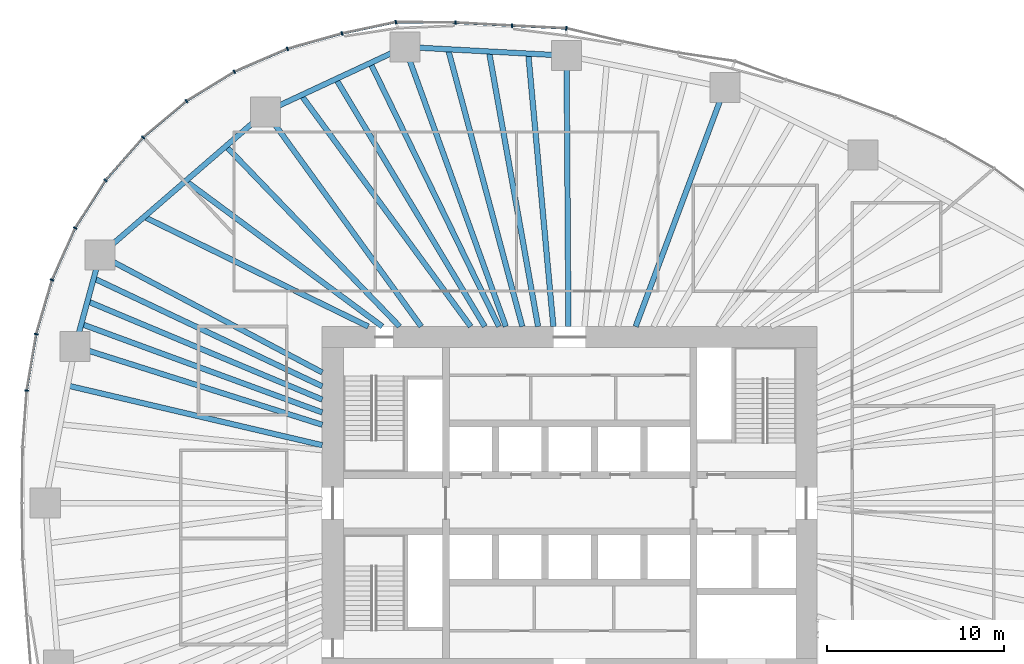
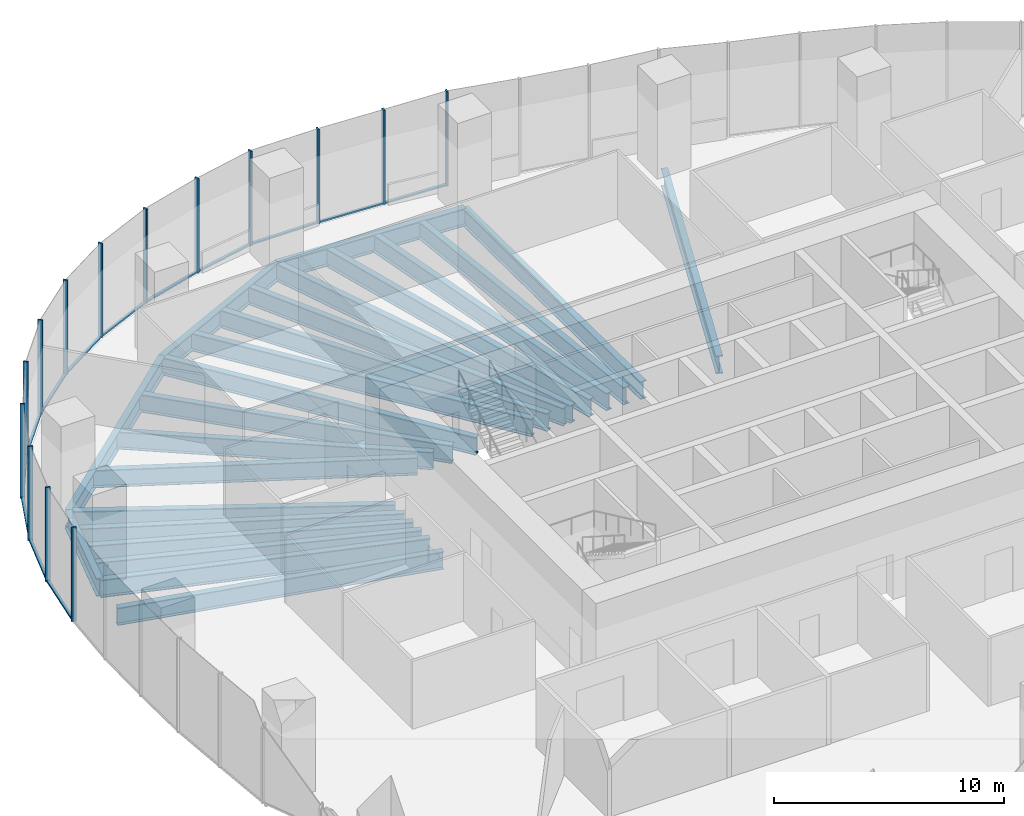
# One storey, part 5 of 20: 27 members, 23 beams, 5 elements without a shape of their own.
"""IFC4 building model written with IfcOpenShell, lengths in metres."""

from ifc_helpers import new_model, si_unit, direction, frame, origin, origin_2d, place, context, subcontext, project, spatial, rectangle, i_section, extrude, material, material_profile, profile_set, type_object, element, aggregate, save


model = new_model("IFC4")

# Units and contexts
model_context = context("Model", 3, precision=1e-05, world=origin(), true_north=direction((0.0, 1.0)))
body_context = subcontext(model_context, "Body", "Model", "MODEL_VIEW")
ifc_project = project(units=[si_unit("LENGTHUNIT", "METRE"), si_unit("AREAUNIT", "SQUARE_METRE"), si_unit("VOLUMEUNIT", "CUBIC_METRE"), si_unit("PLANEANGLEUNIT", "RADIAN"), si_unit("MASSUNIT", "GRAM", prefix="KILO")], contexts=[model_context])

# Site, building, storey
site_placement = place(None, origin())
site = spatial("IfcSite", under=ifc_project, at=site_placement, CompositionType="ELEMENT")
building_placement = place(site_placement, origin())
building = spatial("IfcBuilding", under=site, at=building_placement, Name="Ghaith Harvest Tower", CompositionType="ELEMENT")
storey_placement = place(building_placement, frame((0.0, 0.0, 60.0)))
storey = spatial("IfcBuildingStorey", under=building, at=storey_placement, Name="L12", CompositionType="ELEMENT", Elevation=60.0)

# Curtain wall, members
ifc_material_1 = material(Name="Black anodised aluminium and fritted glass", Category="aluminium")
curtain_wall_type = type_object("IfcCurtainWallType", Name="CW-F CURTAIN WALL", PredefinedType="NOTDEFINED", material=ifc_material_1)
curtain_wall_1_placement = place(storey_placement, origin())
curtain_wall_1 = element("IfcCurtainWall", 1, at=curtain_wall_1_placement, inside=storey, type_object=curtain_wall_type, Name="Curtain wall CW-F bay 06 L12", PredefinedType="NOTDEFINED")
ifc_material_2 = material(Name="Aluminium, black anodised", Category="aluminium")
ifc_material_profile_1 = material_profile(ifc_material_2, rectangle(XDim=0.080078125, YDim=0.219970703125, at=origin_2d()), Name="CW-F MULLION 80x220")
ifc_profile_set_1 = profile_set([ifc_material_profile_1], Name="Aluminium, black anodised")
member_type_1 = type_object("IfcMemberType", Name="CW-F MULLION 80x220", PredefinedType="MULLION", material=ifc_profile_set_1)
member_1_placement = place(storey_placement, frame((-0.183837890625, 26.877197265625, 0.0), z_axis=(0.0, 0.0, 1.0), x_axis=(-0.98971187143, 0.143074845976, 0.0)))
member_1 = element("IfcMember", 2, at=member_1_placement, type_object=member_type_1, Name="CW-F mullion 1 bay 06 L12", PredefinedType="MULLION", context=body_context, shape_type="SweptSolid", body=[
    extrude(rectangle(XDim=0.080078125, YDim=0.219970703125, at=origin_2d()), origin(), (0.0, 0.0, 1.0), 5.0),
])
member_2_placement = place(storey_placement, frame((-3.261962890625, 27.02978515625, 0.0), z_axis=(0.0, 0.0, 1.0), x_axis=(-0.998666923291, 0.051617597049, 0.0)))
member_2 = element("IfcMember", 3, at=member_2_placement, type_object=member_type_1, Name="CW-F mullion 2 bay 06 L12", PredefinedType="MULLION", context=body_context, shape_type="SweptSolid", body=[
    extrude(rectangle(XDim=0.080078125, YDim=0.219970703125, at=origin_2d()), origin(), (0.0, 0.0, 1.0), 5.0),
])
member_3_placement = place(storey_placement, frame((-6.465087890625, 27.20166015625, 0.0), z_axis=(0.0, 0.0, 1.0), x_axis=(-0.999527102163, 0.030750155138, 0.0)))
member_3 = element("IfcMember", 4, at=member_3_placement, type_object=member_type_1, Name="CW-F mullion 3 bay 06 L12", PredefinedType="MULLION", context=body_context, shape_type="SweptSolid", body=[
    extrude(rectangle(XDim=0.080078125, YDim=0.219970703125, at=origin_2d()), origin(), (0.0, 0.0, 1.0), 5.0),
])

curtain_wall_2_placement = place(storey_placement, origin())
curtain_wall_2 = element("IfcCurtainWall", 5, at=curtain_wall_2_placement, inside=storey, type_object=curtain_wall_type, Name="Curtain wall CW-F bay 07 L12", PredefinedType="NOTDEFINED")
member_4_placement = place(storey_placement, frame((-9.835693359375, 27.232177734375, 0.0), z_axis=(0.0, 0.0, 1.0), x_axis=(-0.995408459337, -0.095718332001, 0.0)))
member_4 = element("IfcMember", 6, at=member_4_placement, type_object=member_type_1, Name="CW-F mullion 1 bay 07 L12", PredefinedType="MULLION", context=body_context, shape_type="SweptSolid", body=[
    extrude(rectangle(XDim=0.080078125, YDim=0.219970703125, at=origin_2d()), origin(), (0.0, 0.0, 1.0), 5.0),
])
member_5_placement = place(storey_placement, frame((-12.880615234375, 26.5849609375, 0.0), z_axis=(0.0, 0.0, 1.0), x_axis=(-0.970824511782, -0.239791091, 0.0)))
member_5 = element("IfcMember", 7, at=member_5_placement, type_object=member_type_1, Name="CW-F mullion 2 bay 07 L12", PredefinedType="MULLION", context=body_context, shape_type="SweptSolid", body=[
    extrude(rectangle(XDim=0.080078125, YDim=0.219970703125, at=origin_2d()), origin(), (0.0, 0.0, 1.0), 5.0),
])
member_6_placement = place(storey_placement, frame((-15.97119140625, 25.716552734375, 0.0), z_axis=(0.0, 0.0, 1.0), x_axis=(-0.942293550527, -0.334787790451, 0.0)))
member_6 = element("IfcMember", 8, at=member_6_placement, type_object=member_type_1, Name="CW-F mullion 3 bay 07 L12", PredefinedType="MULLION", context=body_context, shape_type="SweptSolid", body=[
    extrude(rectangle(XDim=0.080078125, YDim=0.219970703125, at=origin_2d()), origin(), (0.0, 0.0, 1.0), 5.0),
])

curtain_wall_3_placement = place(storey_placement, origin())
curtain_wall_3 = element("IfcCurtainWall", 9, at=curtain_wall_3_placement, inside=storey, type_object=curtain_wall_type, Name="Curtain wall CW-F bay 08 L12", PredefinedType="NOTDEFINED")
member_7_placement = place(storey_placement, frame((-18.96728515625, 24.42236328125, 0.0), z_axis=(0.0, 0.0, 1.0), x_axis=(-0.887912253252, -0.460012859086, 0.0)))
member_7 = element("IfcMember", 10, at=member_7_placement, type_object=member_type_1, Name="CW-F mullion 1 bay 08 L12", PredefinedType="MULLION", context=body_context, shape_type="SweptSolid", body=[
    extrude(rectangle(XDim=0.080078125, YDim=0.219970703125, at=origin_2d()), origin(), (0.0, 0.0, 1.0), 5.0),
])
member_8_placement = place(storey_placement, frame((-21.681640625, 22.758056640625, 0.0), z_axis=(0.0, 0.0, 1.0), x_axis=(-0.811400750439, -0.584490224202, 0.0)))
member_8 = element("IfcMember", 11, at=member_8_placement, type_object=member_type_1, Name="CW-F mullion 2 bay 08 L12", PredefinedType="MULLION", context=body_context, shape_type="SweptSolid", body=[
    extrude(rectangle(XDim=0.080078125, YDim=0.219970703125, at=origin_2d()), origin(), (0.0, 0.0, 1.0), 5.0),
])
member_9_placement = place(storey_placement, frame((-24.139404296875, 20.696533203125, 0.0), z_axis=(0.0, 0.0, 1.0), x_axis=(-0.714663248213, -0.699468685256, 0.0)))
member_9 = element("IfcMember", 12, at=member_9_placement, type_object=member_type_1, Name="CW-F mullion 3 bay 08 L12", PredefinedType="MULLION", context=body_context, shape_type="SweptSolid", body=[
    extrude(rectangle(XDim=0.080078125, YDim=0.219970703125, at=origin_2d()), origin(), (0.0, 0.0, 1.0), 5.0),
])

curtain_wall_4_placement = place(storey_placement, origin())
curtain_wall_4 = element("IfcCurtainWall", 13, at=curtain_wall_4_placement, inside=storey, type_object=curtain_wall_type, Name="Curtain wall CW-F bay 09 L12", PredefinedType="NOTDEFINED")
member_10_placement = place(storey_placement, frame((-26.26318359375, 18.274169921875, 0.0), z_axis=(0.0, 0.0, 1.0), x_axis=(-0.599861600644, -0.800103780814, 0.0)))
member_10 = element("IfcMember", 14, at=member_10_placement, type_object=member_type_1, Name="CW-F mullion 1 bay 09 L12", PredefinedType="MULLION", context=body_context, shape_type="SweptSolid", body=[
    extrude(rectangle(XDim=0.080078125, YDim=0.219970703125, at=origin_2d()), origin(), (0.0, 0.0, 1.0), 5.0),
])
member_11_placement = place(storey_placement, frame((-27.986328125, 15.5654296875, 0.0), z_axis=(0.0, 0.0, 1.0), x_axis=(-0.473265082758, -0.880920065297, 0.0)))
member_11 = element("IfcMember", 15, at=member_11_placement, type_object=member_type_1, Name="CW-F mullion 2 bay 09 L12", PredefinedType="MULLION", context=body_context, shape_type="SweptSolid", body=[
    extrude(rectangle(XDim=0.080078125, YDim=0.219970703125, at=origin_2d()), origin(), (0.0, 0.0, 1.0), 5.0),
])
member_12_placement = place(storey_placement, frame((-29.29248046875, 12.63525390625, 0.0), z_axis=(0.0, 0.0, 1.0), x_axis=(-0.344618322502, -0.938742889079, 0.0)))
member_12 = element("IfcMember", 16, at=member_12_placement, type_object=member_type_1, Name="CW-F mullion 3 bay 09 L12", PredefinedType="MULLION", context=body_context, shape_type="SweptSolid", body=[
    extrude(rectangle(XDim=0.080078125, YDim=0.219970703125, at=origin_2d()), origin(), (0.0, 0.0, 1.0), 5.0),
])

curtain_wall_5_placement = place(storey_placement, origin())
curtain_wall_5 = element("IfcCurtainWall", 17, at=curtain_wall_5_placement, inside=storey, type_object=curtain_wall_type, Name="Curtain wall CW-F bay 10 L12", PredefinedType="NOTDEFINED")
member_13_placement = place(storey_placement, frame((-30.1884765625, 9.567138671875, 0.0), z_axis=(0.0, 0.0, 1.0), x_axis=(-0.222967363645, -0.97482590997, 0.0)))
member_13 = element("IfcMember", 18, at=member_13_placement, type_object=member_type_1, Name="CW-F mullion 1 bay 10 L12", PredefinedType="MULLION", context=body_context, shape_type="SweptSolid", body=[
    extrude(rectangle(XDim=0.080078125, YDim=0.219970703125, at=origin_2d()), origin(), (0.0, 0.0, 1.0), 5.0),
])
member_14_placement = place(storey_placement, frame((-30.724365234375, 6.37548828125, 0.0), z_axis=(0.0, 0.0, 1.0), x_axis=(-0.119352816132, -0.99285190501, 0.0)))
member_14 = element("IfcMember", 19, at=member_14_placement, type_object=member_type_1, Name="CW-F mullion 2 bay 10 L12", PredefinedType="MULLION", context=body_context, shape_type="SweptSolid", body=[
    extrude(rectangle(XDim=0.080078125, YDim=0.219970703125, at=origin_2d()), origin(), (0.0, 0.0, 1.0), 5.0),
])

# Member
ifc_material_3 = material(Name="Aluminium, black anodised", Category="aluminium")
ifc_material_profile_2 = material_profile(ifc_material_3, rectangle(XDim=0.139892578125, YDim=0.080078125, at=origin_2d()), Name="CW-F TRANSOM 140x80")
ifc_profile_set_2 = profile_set([ifc_material_profile_2], Name="Aluminium, black anodised")
member_type_2 = type_object("IfcMemberType", Name="CW-F TRANSOM 140x80", PredefinedType="USERDEFINED", material=ifc_profile_set_2)
member_15_placement = place(storey_placement, frame((-0.223876953125, 26.879150390625, 0.0400390625), z_axis=(-0.998772539109, 0.049531960612, 0.0), x_axis=(-0.049531960612, -0.998772539109, 0.0)))
member_15 = element("IfcMember", 20, at=member_15_placement, type_object=member_type_2, Name="CW-F transom 1 bay 06 L12", ObjectType="TRANSOM", PredefinedType="USERDEFINED", context=body_context, shape_type="SweptSolid", body=[
    extrude(rectangle(XDim=0.139892578125, YDim=0.080078125, at=origin_2d()), origin(), (0.0, 0.0, 1.0), 3.001708984375),
])

member_16_placement = place(storey_placement, frame((-3.3017578125, 27.031982421875, 0.0400390625), z_axis=(-0.99856142387, 0.053619798202, 0.0), x_axis=(-0.053619798202, -0.99856142387, 0.0)))
member_16 = element("IfcMember", 21, at=member_16_placement, type_object=member_type_2, Name="CW-F transom 2 bay 06 L12", ObjectType="TRANSOM", PredefinedType="USERDEFINED", context=body_context, shape_type="SweptSolid", body=[
    extrude(rectangle(XDim=0.139892578125, YDim=0.080078125, at=origin_2d()), origin(), (0.0, 0.0, 1.0), 3.1279296875),
])

member_17_placement = place(storey_placement, frame((-6.505126953125, 27.2021484375, 0.0400390625), z_axis=(-0.999959703847, 0.008977231352, 0.0), x_axis=(-0.008977231352, -0.999959703847, 0.0)))
member_17 = element("IfcMember", 22, at=member_17_placement, type_object=member_type_2, Name="CW-F transom 3 bay 06 L12", ObjectType="TRANSOM", PredefinedType="USERDEFINED", context=body_context, shape_type="SweptSolid", body=[
    extrude(rectangle(XDim=0.139892578125, YDim=0.080078125, at=origin_2d()), origin(), (0.0, 0.0, 1.0), 3.290771484375),
])

aggregate(curtain_wall_1, [member_1, member_15, member_2, member_16, member_3, member_17])

member_18_placement = place(storey_placement, frame((-9.874755859375, 27.2236328125, 0.0400390625), z_axis=(-0.978160283029, -0.207852016359, 0.0), x_axis=(0.207852016359, -0.978160283029, 0.0)))
member_18 = element("IfcMember", 23, at=member_18_placement, type_object=member_type_2, Name="CW-F transom 1 bay 07 L12", ObjectType="TRANSOM", PredefinedType="USERDEFINED", context=body_context, shape_type="SweptSolid", body=[
    extrude(rectangle(XDim=0.139892578125, YDim=0.080078125, at=origin_2d()), origin(), (0.0, 0.0, 1.0), 3.03271484375),
])

member_19_placement = place(storey_placement, frame((-12.9189453125, 26.573974609375, 0.0400390625), z_axis=(-0.962727128991, -0.270474536888, 0.0), x_axis=(0.270474536888, -0.962727128991, 0.0)))
member_19 = element("IfcMember", 24, at=member_19_placement, type_object=member_type_2, Name="CW-F transom 2 bay 07 L12", ObjectType="TRANSOM", PredefinedType="USERDEFINED", context=body_context, shape_type="SweptSolid", body=[
    extrude(rectangle(XDim=0.139892578125, YDim=0.080078125, at=origin_2d()), origin(), (0.0, 0.0, 1.0), 3.13037109375),
])

member_20_placement = place(storey_placement, frame((-16.008056640625, 25.70068359375, 0.0400390625), z_axis=(-0.9180027124, -0.396574104079, 0.0), x_axis=(0.396574104079, -0.9180027124, 0.0)))
member_20 = element("IfcMember", 25, at=member_20_placement, type_object=member_type_2, Name="CW-F transom 3 bay 07 L12", ObjectType="TRANSOM", PredefinedType="USERDEFINED", context=body_context, shape_type="SweptSolid", body=[
    extrude(rectangle(XDim=0.139892578125, YDim=0.080078125, at=origin_2d()), origin(), (0.0, 0.0, 1.0), 3.183349609375),
])

aggregate(curtain_wall_2, [member_4, member_18, member_5, member_19, member_6, member_20])

member_21_placement = place(storey_placement, frame((-19.001220703125, 24.4013671875, 0.0400390625), z_axis=(-0.852561687195, -0.522626606219, 0.0), x_axis=(0.522626606219, -0.852561687195, 0.0)))
member_21 = element("IfcMember", 26, at=member_21_placement, type_object=member_type_2, Name="CW-F transom 1 bay 08 L12", ObjectType="TRANSOM", PredefinedType="USERDEFINED", context=body_context, shape_type="SweptSolid", body=[
    extrude(rectangle(XDim=0.139892578125, YDim=0.080078125, at=origin_2d()), origin(), (0.0, 0.0, 1.0), 3.104248046875),
])

member_22_placement = place(storey_placement, frame((-21.71240234375, 22.732421875, 0.0400390625), z_axis=(-0.766144434184, -0.642668426149, 0.0), x_axis=(0.642668426149, -0.766144434184, 0.0)))
member_22 = element("IfcMember", 27, at=member_22_placement, type_object=member_type_2, Name="CW-F transom 2 bay 08 L12", ObjectType="TRANSOM", PredefinedType="USERDEFINED", context=body_context, shape_type="SweptSolid", body=[
    extrude(rectangle(XDim=0.139892578125, YDim=0.080078125, at=origin_2d()), origin(), (0.0, 0.0, 1.0), 3.1279296875),
])

member_23_placement = place(storey_placement, frame((-24.165771484375, 20.66650390625, 0.0400390625), z_axis=(-0.65923052982, -0.751940894322, 0.0), x_axis=(0.751940894322, -0.65923052982, 0.0)))
member_23 = element("IfcMember", 28, at=member_23_placement, type_object=member_type_2, Name="CW-F transom 3 bay 08 L12", ObjectType="TRANSOM", PredefinedType="USERDEFINED", context=body_context, shape_type="SweptSolid", body=[
    extrude(rectangle(XDim=0.139892578125, YDim=0.080078125, at=origin_2d()), origin(), (0.0, 0.0, 1.0), 3.1416015625),
])

aggregate(curtain_wall_3, [member_7, member_21, member_8, member_22, member_9, member_23])

member_24_placement = place(storey_placement, frame((-26.28466796875, 18.240234375, 0.0400390625), z_axis=(-0.536754366643, -0.843738555412, 0.0), x_axis=(0.843738555412, -0.536754366643, 0.0)))
member_24 = element("IfcMember", 29, at=member_24_placement, type_object=member_type_2, Name="CW-F transom 1 bay 09 L12", ObjectType="TRANSOM", PredefinedType="USERDEFINED", context=body_context, shape_type="SweptSolid", body=[
    extrude(rectangle(XDim=0.139892578125, YDim=0.080078125, at=origin_2d()), origin(), (0.0, 0.0, 1.0), 3.13037109375),
])

member_25_placement = place(storey_placement, frame((-28.002685546875, 15.52880859375, 0.0400390625), z_axis=(-0.407123143204, -0.913373278714, 0.0), x_axis=(0.913373278714, -0.407123143204, 0.0)))
member_25 = element("IfcMember", 30, at=member_25_placement, type_object=member_type_2, Name="CW-F transom 2 bay 09 L12", ObjectType="TRANSOM", PredefinedType="USERDEFINED", context=body_context, shape_type="SweptSolid", body=[
    extrude(rectangle(XDim=0.139892578125, YDim=0.080078125, at=origin_2d()), origin(), (0.0, 0.0, 1.0), 3.1279296875),
])

member_26_placement = place(storey_placement, frame((-29.3037109375, 12.596923828125, 0.0400390625), z_axis=(-0.280324903873, -0.959905176707, 0.0), x_axis=(0.959905176707, -0.280324903873, 0.0)))
member_26 = element("IfcMember", 31, at=member_26_placement, type_object=member_type_2, Name="CW-F transom 3 bay 09 L12", ObjectType="TRANSOM", PredefinedType="USERDEFINED", context=body_context, shape_type="SweptSolid", body=[
    extrude(rectangle(XDim=0.139892578125, YDim=0.080078125, at=origin_2d()), origin(), (0.0, 0.0, 1.0), 3.1162109375),
])

aggregate(curtain_wall_4, [member_10, member_24, member_11, member_25, member_12, member_26])

member_27_placement = place(storey_placement, frame((-30.195068359375, 9.52783203125, 0.0400390625), z_axis=(-0.165527763099, -0.986205130611, 0.0), x_axis=(0.986205130611, -0.165527763099, 0.0)))
member_27 = element("IfcMember", 32, at=member_27_placement, type_object=member_type_2, Name="CW-F transom 1 bay 10 L12", ObjectType="TRANSOM", PredefinedType="USERDEFINED", context=body_context, shape_type="SweptSolid", body=[
    extrude(rectangle(XDim=0.139892578125, YDim=0.080078125, at=origin_2d()), origin(), (0.0, 0.0, 1.0), 3.15625),
])

aggregate(curtain_wall_5, [member_13, member_27, member_14])

# Beams
ifc_material_4 = material(Name="Steel ASTM A992 Grade 50", Category="steel")
ifc_material_profile_3 = material_profile(ifc_material_4, i_section(OverallWidth=0.306884765625, OverallDepth=0.94189453125, WebThickness=0.022216796875, FlangeThickness=0.039794921875, at=origin_2d()), Name="W920X345")
ifc_profile_set_3 = profile_set([ifc_material_profile_3], Name="Steel ASTM A992 Grade 50")
beam_type_1 = type_object("IfcBeamType", Name="E920-345 W920X345", PredefinedType="SPANDREL", material=ifc_profile_set_3)
beam_1_placement = place(storey_placement, frame((-0.173095703125, 25.326904296875, -0.6708984375), z_axis=(-0.998545840532, 0.053909223293, 0.0), x_axis=(-0.053909223293, -0.998545840532, 0.0)))
element("IfcBeam", 33, at=beam_1_placement, inside=storey, type_object=beam_type_1, Name="Edge beam E06 L12", PredefinedType="SPANDREL", context=body_context, shape_type="SweptSolid", body=[
    extrude(i_section(OverallWidth=0.306884765625, OverallDepth=0.94189453125, WebThickness=0.022216796875, FlangeThickness=0.039794921875, at=origin_2d()), origin(), (0.0, 0.0, 1.0), 9.166259765625),
])
beam_2_placement = place(storey_placement, frame((-9.325927734375, 25.821044921875, -0.6708984375), z_axis=(-0.906373259523, -0.422477827137, 0.0), x_axis=(0.422477827137, -0.906373259523, 0.0)))
element("IfcBeam", 34, at=beam_2_placement, inside=storey, type_object=beam_type_1, Name="Edge beam E07 L12", PredefinedType="SPANDREL", context=body_context, shape_type="SweptSolid", body=[
    extrude(i_section(OverallWidth=0.306884765625, OverallDepth=0.94189453125, WebThickness=0.022216796875, FlangeThickness=0.039794921875, at=origin_2d()), origin(), (0.0, 0.0, 1.0), 8.689453125),
])
beam_3_placement = place(storey_placement, frame((-17.201904296875, 22.14990234375, -0.6708984375), z_axis=(-0.756392158274, -0.654118416574, 0.0), x_axis=(0.654118416574, -0.756392158274, 0.0)))
element("IfcBeam", 35, at=beam_3_placement, inside=storey, type_object=beam_type_1, Name="Edge beam E08 L12", PredefinedType="SPANDREL", context=body_context, shape_type="SweptSolid", body=[
    extrude(i_section(OverallWidth=0.306884765625, OverallDepth=0.94189453125, WebThickness=0.022216796875, FlangeThickness=0.039794921875, at=origin_2d()), origin(), (0.0, 0.0, 1.0), 12.38916015625),
])
beam_4_placement = place(storey_placement, frame((-26.572998046875, 14.0458984375, -0.6708984375), z_axis=(-0.262724740433, -0.964870825947, 0.0), x_axis=(0.964870825947, -0.262724740433, 0.0)))
element("IfcBeam", 36, at=beam_4_placement, inside=storey, type_object=beam_type_1, Name="Edge beam E09 L12", PredefinedType="SPANDREL", context=body_context, shape_type="SweptSolid", body=[
    extrude(i_section(OverallWidth=0.306884765625, OverallDepth=0.94189453125, WebThickness=0.022216796875, FlangeThickness=0.039794921875, at=origin_2d()), origin(), (0.0, 0.0, 1.0), 5.366455078125),
])
ifc_material_5 = material(Name="Steel ASTM A992 Grade 50", Category="steel")
ifc_material_profile_4 = material_profile(ifc_material_5, i_section(OverallWidth=0.306884765625, OverallDepth=0.94189453125, WebThickness=0.022216796875, FlangeThickness=0.039794921875, at=origin_2d()), Name="W920X345")
ifc_profile_set_4 = profile_set([ifc_material_profile_4], Name="Steel ASTM A992 Grade 50")
beam_type_2 = type_object("IfcBeamType", Name="G920-345 W920X345", PredefinedType="BEAM", material=ifc_profile_set_4)
beam_5_placement = place(storey_placement, frame((3.73828125, 10.0, -0.6708984375), z_axis=(0.350150596156, 0.936693418367, 0.0), x_axis=(-0.936693418367, 0.350150596156, 0.0)))
element("IfcBeam", 37, at=beam_5_placement, inside=storey, type_object=beam_type_2, Name="Radial girder G05 L12", PredefinedType="BEAM", context=body_context, shape_type="SweptSolid", body=[
    extrude(i_section(OverallWidth=0.306884765625, OverallDepth=0.94189453125, WebThickness=0.022216796875, FlangeThickness=0.039794921875, at=origin_2d()), origin(), (0.0, 0.0, 1.0), 14.44140625),
])
beam_6_placement = place(storey_placement, frame((-0.068359375, 10.0, -0.6708984375), z_axis=(-0.006833335732, 0.999976652489, 0.0), x_axis=(-0.999976652489, -0.006833335732, 0.0)))
element("IfcBeam", 38, at=beam_6_placement, inside=storey, type_object=beam_type_2, Name="Radial girder G06 L12", PredefinedType="BEAM", context=body_context, shape_type="SweptSolid", body=[
    extrude(i_section(OverallWidth=0.306884765625, OverallDepth=0.94189453125, WebThickness=0.022216796875, FlangeThickness=0.039794921875, at=origin_2d()), origin(), (0.0, 0.0, 1.0), 15.3271484375),
])
beam_7_placement = place(storey_placement, frame((-3.61181640625, 10.0, -0.6708984375), z_axis=(-0.339694751271, 0.940535738799, 0.0), x_axis=(-0.940535738799, -0.339694751271, 0.0)))
element("IfcBeam", 39, at=beam_7_placement, inside=storey, type_object=beam_type_2, Name="Radial girder G07 L12", PredefinedType="BEAM", context=body_context, shape_type="SweptSolid", body=[
    extrude(i_section(OverallWidth=0.306884765625, OverallDepth=0.94189453125, WebThickness=0.022216796875, FlangeThickness=0.039794921875, at=origin_2d()), origin(), (0.0, 0.0, 1.0), 16.8212890625),
])
beam_8_placement = place(storey_placement, frame((-8.39990234375, 10.0, -0.6708984375), z_axis=(-0.586675813287, 0.809821887889, 0.0), x_axis=(-0.809821887889, -0.586675813287, 0.0)))
element("IfcBeam", 40, at=beam_8_placement, inside=storey, type_object=beam_type_2, Name="Radial girder G08 L12", PredefinedType="BEAM", context=body_context, shape_type="SweptSolid", body=[
    extrude(i_section(OverallWidth=0.306884765625, OverallDepth=0.94189453125, WebThickness=0.022216796875, FlangeThickness=0.039794921875, at=origin_2d()), origin(), (0.0, 0.0, 1.0), 15.003173828125),
])
beam_9_placement = place(storey_placement, frame((-14.0, 7.39990234375, -0.6708984375), z_axis=(-0.88408713845, 0.467322085533, 0.0), x_axis=(-0.467322085533, -0.88408713845, 0.0)))
element("IfcBeam", 41, at=beam_9_placement, inside=storey, type_object=beam_type_2, Name="Radial girder G09 L12", PredefinedType="BEAM", context=body_context, shape_type="SweptSolid", body=[
    extrude(i_section(OverallWidth=0.306884765625, OverallDepth=0.94189453125, WebThickness=0.022216796875, FlangeThickness=0.039794921875, at=origin_2d()), origin(), (0.0, 0.0, 1.0), 14.221435546875),
])
beam_10_placement = place(storey_placement, frame((-14.0, 4.43701171875, -0.6708984375), z_axis=(-0.953283605796, 0.302076756671, 0.0), x_axis=(-0.302076756671, -0.953283605796, 0.0)))
element("IfcBeam", 42, at=beam_10_placement, inside=storey, type_object=beam_type_2, Name="Radial girder G10 L12", PredefinedType="BEAM", context=body_context, shape_type="SweptSolid", body=[
    extrude(i_section(OverallWidth=0.306884765625, OverallDepth=0.94189453125, WebThickness=0.022216796875, FlangeThickness=0.039794921875, at=origin_2d()), origin(), (0.0, 0.0, 1.0), 14.668212890625),
])
ifc_material_6 = material(Name="Steel ASTM A992 Grade 50", Category="steel")
ifc_material_profile_5 = material_profile(ifc_material_6, i_section(OverallWidth=0.31005859375, OverallDepth=0.927001953125, WebThickness=0.019287109375, FlangeThickness=0.031982421875, at=origin_2d()), Name="W920X289")
ifc_profile_set_5 = profile_set([ifc_material_profile_5], Name="Steel ASTM A992 Grade 50")
beam_type_3 = type_object("IfcBeamType", Name="J920-289 W920X289", PredefinedType="JOIST", material=ifc_profile_set_5)
beam_11_placement = place(storey_placement, frame((-0.92041015625, 10.0, -0.66357421875), z_axis=(-0.091647013776, 0.995791556936, 0.0), x_axis=(-0.995791556936, -0.091647013776, 0.0)))
element("IfcBeam", 43, at=beam_11_placement, inside=storey, type_object=beam_type_3, Name="Joist J06.1 L12", PredefinedType="JOIST", context=body_context, shape_type="SweptSolid", body=[
    extrude(i_section(OverallWidth=0.31005859375, OverallDepth=0.927001953125, WebThickness=0.019287109375, FlangeThickness=0.031982421875, at=origin_2d()), origin(), (0.0, 0.0, 1.0), 15.50927734375),
])
beam_12_placement = place(storey_placement, frame((-1.785888671875, 10.0, -0.66357421875), z_axis=(-0.175789035136, 0.984427861819, 0.0), x_axis=(-0.984427861819, -0.175789035136, 0.0)))
element("IfcBeam", 44, at=beam_12_placement, inside=storey, type_object=beam_type_3, Name="Joist J06.2 L12", PredefinedType="JOIST", context=body_context, shape_type="SweptSolid", body=[
    extrude(i_section(OverallWidth=0.31005859375, OverallDepth=0.927001953125, WebThickness=0.019287109375, FlangeThickness=0.031982421875, at=origin_2d()), origin(), (0.0, 0.0, 1.0), 15.810302734375),
])
beam_13_placement = place(storey_placement, frame((-10.60009765625, 10.0, -0.66357421875), z_axis=(-0.803663089107, 0.595084564752, 0.0), x_axis=(-0.595084564752, -0.803663089107, 0.0)))
element("IfcBeam", 45, at=beam_13_placement, inside=storey, type_object=beam_type_3, Name="Joist J08.2 L12", PredefinedType="JOIST", context=body_context, shape_type="SweptSolid", body=[
    extrude(i_section(OverallWidth=0.31005859375, OverallDepth=0.927001953125, WebThickness=0.019287109375, FlangeThickness=0.031982421875, at=origin_2d()), origin(), (0.0, 0.0, 1.0), 13.843505859375),
])
beam_14_placement = place(storey_placement, frame((-11.39990234375, 10.0, -0.66357421875), z_axis=(-0.898274832354, 0.439434096946, 0.0), x_axis=(-0.439434096946, -0.898274832354, 0.0)))
element("IfcBeam", 46, at=beam_14_placement, inside=storey, type_object=beam_type_3, Name="Joist J08.3 L12", PredefinedType="JOIST", context=body_context, shape_type="SweptSolid", body=[
    extrude(i_section(OverallWidth=0.31005859375, OverallDepth=0.927001953125, WebThickness=0.019287109375, FlangeThickness=0.031982421875, at=origin_2d()), origin(), (0.0, 0.0, 1.0), 14.114990234375),
])
beam_15_placement = place(storey_placement, frame((-14.0, 6.614990234375, -0.66357421875), z_axis=(-0.904153428261, 0.427207886354, 0.0), x_axis=(-0.427207886354, -0.904153428261, 0.0)))
element("IfcBeam", 47, at=beam_15_placement, inside=storey, type_object=beam_type_3, Name="Joist J09.1 L12", PredefinedType="JOIST", context=body_context, shape_type="SweptSolid", body=[
    extrude(i_section(OverallWidth=0.31005859375, OverallDepth=0.927001953125, WebThickness=0.019287109375, FlangeThickness=0.031982421875, at=origin_2d()), origin(), (0.0, 0.0, 1.0), 14.303466796875),
])
beam_16_placement = place(storey_placement, frame((-14.0, 5.862548828125, -0.66357421875), z_axis=(-0.922385943167, 0.38626955853, 0.0), x_axis=(-0.38626955853, -0.922385943167, 0.0)))
element("IfcBeam", 48, at=beam_16_placement, inside=storey, type_object=beam_type_3, Name="Joist J09.2 L12", PredefinedType="JOIST", context=body_context, shape_type="SweptSolid", body=[
    extrude(i_section(OverallWidth=0.31005859375, OverallDepth=0.927001953125, WebThickness=0.019287109375, FlangeThickness=0.031982421875, at=origin_2d()), origin(), (0.0, 0.0, 1.0), 14.404296875),
])
beam_17_placement = place(storey_placement, frame((-14.0, 5.137939453125, -0.66357421875), z_axis=(-0.93877541132, 0.344529718748, 0.0), x_axis=(-0.344529718748, -0.93877541132, 0.0)))
element("IfcBeam", 49, at=beam_17_placement, inside=storey, type_object=beam_type_3, Name="Joist J09.3 L12", PredefinedType="JOIST", context=body_context, shape_type="SweptSolid", body=[
    extrude(i_section(OverallWidth=0.31005859375, OverallDepth=0.927001953125, WebThickness=0.019287109375, FlangeThickness=0.031982421875, at=origin_2d()), origin(), (0.0, 0.0, 1.0), 14.525390625),
])
beam_18_placement = place(storey_placement, frame((-14.0, 3.280517578125, -0.66357421875), z_axis=(-0.973623012228, 0.228162727151, 0.0), x_axis=(-0.228162727151, -0.973623012228, 0.0)))
element("IfcBeam", 50, at=beam_18_placement, inside=storey, type_object=beam_type_3, Name="Joist J10.1 L12", PredefinedType="JOIST", context=body_context, shape_type="SweptSolid", body=[
    extrude(i_section(OverallWidth=0.31005859375, OverallDepth=0.927001953125, WebThickness=0.019287109375, FlangeThickness=0.031982421875, at=origin_2d()), origin(), (0.0, 0.0, 1.0), 14.795166015625),
])
ifc_material_7 = material(Name="Steel ASTM A992 Grade 50", Category="steel")
ifc_material_profile_6 = material_profile(ifc_material_7, i_section(OverallWidth=0.306884765625, OverallDepth=0.94189453125, WebThickness=0.022216796875, FlangeThickness=0.039794921875, at=origin_2d()), Name="W920X345")
ifc_profile_set_6 = profile_set([ifc_material_profile_6], Name="Steel ASTM A992 Grade 50")
beam_type_4 = type_object("IfcBeamType", Name="J920-345 W920X345", PredefinedType="JOIST", material=ifc_profile_set_6)
beam_19_placement = place(storey_placement, frame((-2.677978515625, 10.0, -0.6708984375), z_axis=(-0.258679482451, 0.965963211183, 0.0), x_axis=(-0.965963211183, -0.258679482451, 0.0)))
element("IfcBeam", 51, at=beam_19_placement, inside=storey, type_object=beam_type_4, Name="Joist J06.3 L12", PredefinedType="JOIST", context=body_context, shape_type="SweptSolid", body=[
    extrude(i_section(OverallWidth=0.306884765625, OverallDepth=0.94189453125, WebThickness=0.022216796875, FlangeThickness=0.039794921875, at=origin_2d()), origin(), (0.0, 0.0, 1.0), 16.24169921875),
])
beam_20_placement = place(storey_placement, frame((-4.0, 10.0, -0.6708984375), z_axis=(-0.438505380705, 0.898728563635, 0.0), x_axis=(-0.898728563635, -0.438505380705, 0.0)))
element("IfcBeam", 52, at=beam_20_placement, inside=storey, type_object=beam_type_4, Name="Joist J07.1 L12", PredefinedType="JOIST", context=body_context, shape_type="SweptSolid", body=[
    extrude(i_section(OverallWidth=0.306884765625, OverallDepth=0.94189453125, WebThickness=0.022216796875, FlangeThickness=0.039794921875, at=origin_2d()), origin(), (0.0, 0.0, 1.0), 16.592529296875),
])
beam_21_placement = place(storey_placement, frame((-4.800048828125, 10.0, -0.6708984375), z_axis=(-0.515358894704, 0.85697445099, 0.0), x_axis=(-0.85697445099, -0.515358894704, 0.0)))
element("IfcBeam", 53, at=beam_21_placement, inside=storey, type_object=beam_type_4, Name="Joist J07.2 L12", PredefinedType="JOIST", context=body_context, shape_type="SweptSolid", body=[
    extrude(i_section(OverallWidth=0.306884765625, OverallDepth=0.94189453125, WebThickness=0.022216796875, FlangeThickness=0.039794921875, at=origin_2d()), origin(), (0.0, 0.0, 1.0), 16.34228515625),
])
beam_22_placement = place(storey_placement, frame((-5.60009765625, 10.0, -0.6708984375), z_axis=(-0.591008736068, 0.806665155992, 0.0), x_axis=(-0.806665155992, -0.591008736068, 0.0)))
element("IfcBeam", 54, at=beam_22_placement, inside=storey, type_object=beam_type_4, Name="Joist J07.3 L12", PredefinedType="JOIST", context=body_context, shape_type="SweptSolid", body=[
    extrude(i_section(OverallWidth=0.306884765625, OverallDepth=0.94189453125, WebThickness=0.022216796875, FlangeThickness=0.039794921875, at=origin_2d()), origin(), (0.0, 0.0, 1.0), 16.22509765625),
])
beam_23_placement = place(storey_placement, frame((-9.626708984375, 10.0, -0.6708984375), z_axis=(-0.693535693616, 0.720422266231, 0.0), x_axis=(-0.720422266231, -0.693535693616, 0.0)))
element("IfcBeam", 55, at=beam_23_placement, inside=storey, type_object=beam_type_4, Name="Joist J08.1 L12", PredefinedType="JOIST", context=body_context, shape_type="SweptSolid", body=[
    extrude(i_section(OverallWidth=0.306884765625, OverallDepth=0.94189453125, WebThickness=0.022216796875, FlangeThickness=0.039794921875, at=origin_2d()), origin(), (0.0, 0.0, 1.0), 14.16552734375),
])

save(model, "model.ifc")
